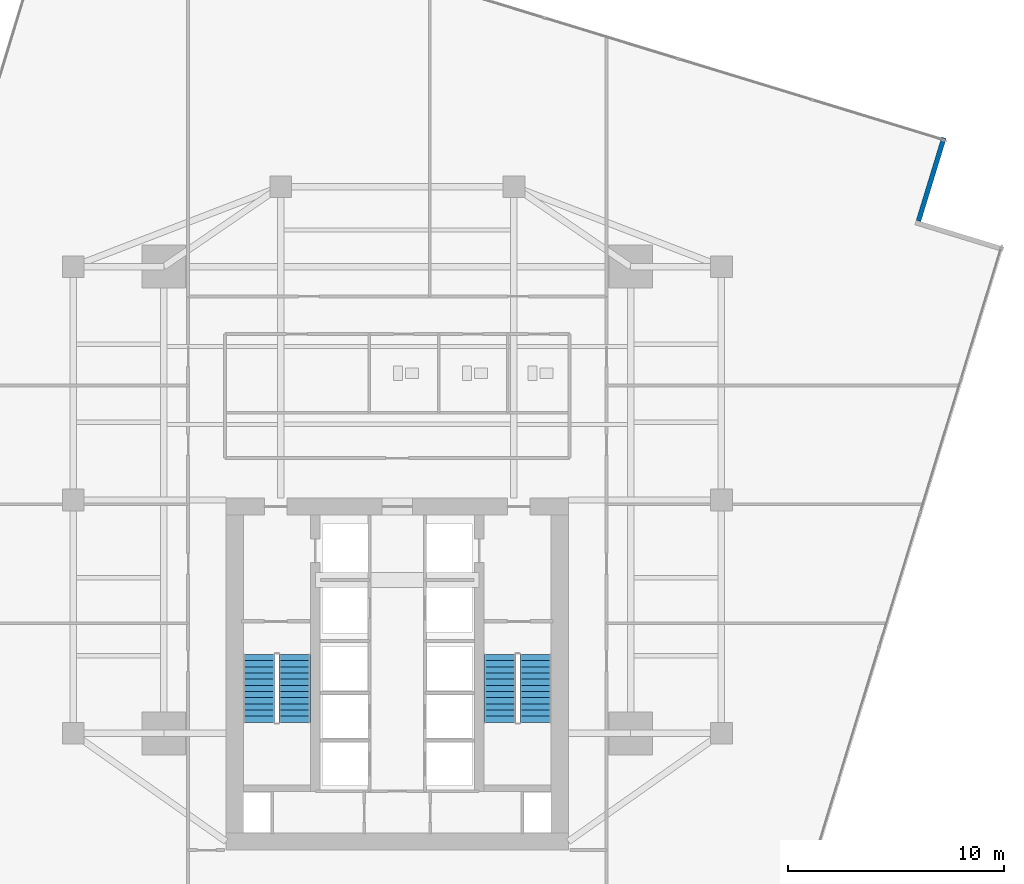
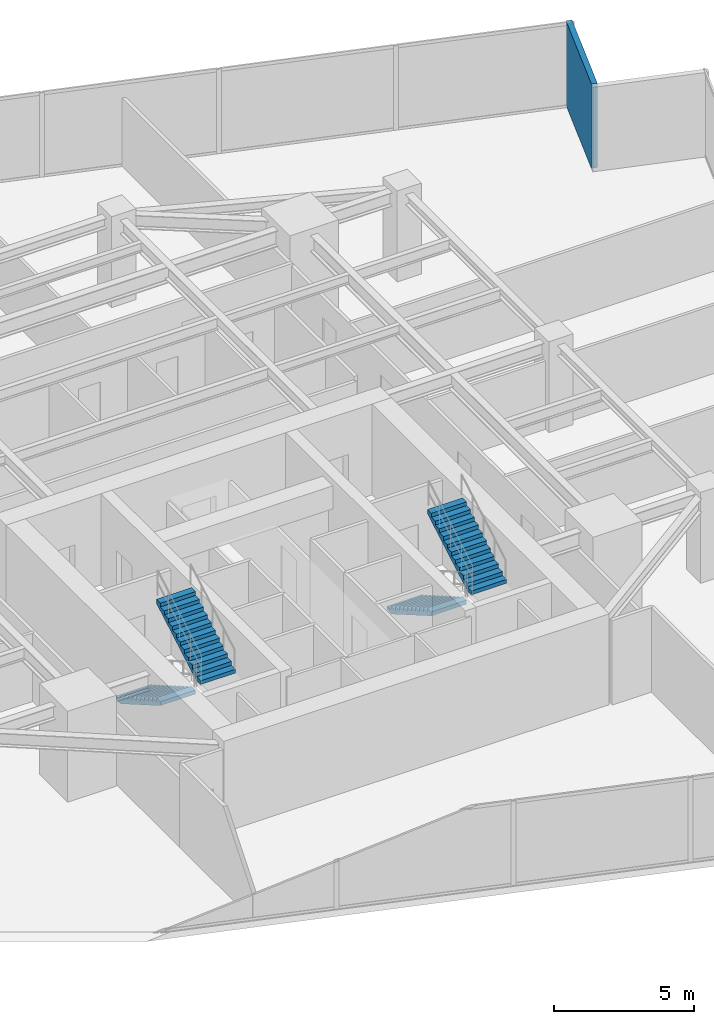
# One storey, part 24 of 26: 4 stair flights, 1 wall, 2 elements without a shape of their own.
"""IFC4 building model written with IfcOpenShell, lengths in metres."""

from ifc_helpers import new_model, si_unit, direction, frame, frame_2d, origin, place, context, subcontext, project, spatial, polyline, rectangle, outline, extrude, material, layer, layer_set, type_object, element, aggregate, save


model = new_model("IFC4")

# Units and contexts
model_context = context("Model", 3, precision=1e-05, world=origin(), true_north=direction((0.0, 1.0)))
body_context = subcontext(model_context, "Body", "Model", "MODEL_VIEW")
ifc_project = project(units=[si_unit("LENGTHUNIT", "METRE"), si_unit("AREAUNIT", "SQUARE_METRE"), si_unit("VOLUMEUNIT", "CUBIC_METRE"), si_unit("PLANEANGLEUNIT", "RADIAN"), si_unit("MASSUNIT", "GRAM", prefix="KILO")], contexts=[model_context])

# Site, building, storey
site_placement = place(None, origin())
site = spatial("IfcSite", under=ifc_project, at=site_placement, CompositionType="ELEMENT")
building_placement = place(site_placement, origin())
building = spatial("IfcBuilding", under=site, at=building_placement, Name="Krantzveldt Concourse Tower", CompositionType="ELEMENT")
storey_placement = place(building_placement, frame((0.0, 0.0, 109.800048828125)))
storey = spatial("IfcBuildingStorey", under=building, at=storey_placement, Name="L26", CompositionType="ELEMENT", Elevation=109.800048828125)

# Wall
ifc_material_1 = material(Name="Anodised aluminium 6063-T6", Category="aluminium")
ifc_layer = layer(ifc_material_1, 0.219970703125, Name="Anodised aluminium 6063-T6", Category="aluminium")
ifc_layer_set = layer_set([ifc_layer], Name="Anodised aluminium 6063-T6 (WL-EXT-NOTCH220)")
wall_type = type_object("IfcWallType", Name="WL-EXT-NOTCH220", PredefinedType="ELEMENTEDWALL", material=ifc_layer_set)
wall_placement = place(storey_placement, frame((60.119140625, 39.612548828125, 0.0), z_axis=(0.0, 0.0, 1.0), x_axis=(0.292363388235, 0.956307298529, 0.0)))
element("IfcWall", 1, at=wall_placement, inside=storey, type_object=wall_type, Name="EW-L26-NCH09", PredefinedType="ELEMENTEDWALL", context=body_context, shape_type="SweptSolid", body=[
    extrude(rectangle(XDim=4.02490234375, YDim=0.219970703125, at=frame_2d((2.012451171875, 0.0))), origin(), (0.0, 0.0, 1.0), 3.669921875),
])

# Stair, stair flights
ifc_material_2 = material(Name="Precast concrete C40/50", Category="concrete")
stair_type = type_object("IfcStairType", Name="STR-CORE-DOGLEG", PredefinedType="HALF_TURN_STAIR", material=ifc_material_2)
stair_1_placement = place(storey_placement, origin())
stair_1 = element("IfcStair", 2, at=stair_1_placement, inside=storey, type_object=stair_type, Name="L26 Protected Escape Stair ST-1", PredefinedType="HALF_TURN_STAIR")
stair_flight_type = type_object("IfcStairFlightType", Name="STF-CORE-1450", PredefinedType="STRAIGHT", material=ifc_material_2)
stair_flight_1_placement = place(storey_placement, frame((29.60498046875, 19.550048828125, 0.0), z_axis=(0.0, 0.0, 1.0), x_axis=(0.0, -1.0, 0.0)))
stair_flight_1 = element("IfcStairFlight", 3, at=stair_flight_1_placement, type_object=stair_flight_type, Name="ST-1 flight 1", NumberOfRisers=12, NumberOfTreads=11, PredefinedType="STRAIGHT", RiserHeight=0.164583333, TreadLength=0.285, context=body_context, shape_type="SweptSolid", body=[
    extrude(outline(polyline([(0.0, 0.0), (0.0, 0.16455078125), (0.284912109375, 0.16455078125), (0.284912109375, 0.3291015625), (0.570068359375, 0.3291015625), (0.570068359375, 0.49365234375), (0.85498046875, 0.49365234375), (0.85498046875, 0.658447265625), (1.139892578125, 0.658447265625), (1.139892578125, 0.822998046875), (1.425048828125, 0.822998046875), (1.425048828125, 0.987548828125), (1.7099609375, 0.987548828125), (1.7099609375, 1.152099609375), (1.9951171875, 1.152099609375), (1.9951171875, 1.316650390625), (2.280029296875, 1.316650390625), (2.280029296875, 1.481201171875), (2.56494140625, 1.481201171875), (2.56494140625, 1.645751953125), (2.85009765625, 1.645751953125), (2.85009765625, 1.810302734375), (3.135009765625, 1.810302734375), (3.135009765625, 1.97509765625), (3.135009765625, 1.63720703125), (0.2998046875, 0.0), (0.0, 0.0)])), frame((0.0, 0.72509765625, 0.0), z_axis=(0.0, -1.0, 0.0), x_axis=(1.0, 0.0, 0.0)), (0.0, 0.0, 1.0), 1.449951171875),
])
stair_flight_2_placement = place(storey_placement, frame((31.2548828125, 16.4150390625, 1.974853515625), z_axis=(0.0, 0.0, 1.0), x_axis=(0.0, 1.0, 0.0)))
stair_flight_2 = element("IfcStairFlight", 4, at=stair_flight_2_placement, type_object=stair_flight_type, Name="ST-1 flight 2", NumberOfRisers=12, NumberOfTreads=11, PredefinedType="STRAIGHT", RiserHeight=0.164583333, TreadLength=0.285, context=body_context, shape_type="SweptSolid", body=[
    extrude(outline(polyline([(0.0, 0.0), (0.0, 0.16455078125), (0.284912109375, 0.16455078125), (0.284912109375, 0.3291015625), (0.570068359375, 0.3291015625), (0.570068359375, 0.49365234375), (0.85498046875, 0.49365234375), (0.85498046875, 0.658447265625), (1.139892578125, 0.658447265625), (1.139892578125, 0.822998046875), (1.425048828125, 0.822998046875), (1.425048828125, 0.987548828125), (1.7099609375, 0.987548828125), (1.7099609375, 1.152099609375), (1.9951171875, 1.152099609375), (1.9951171875, 1.316650390625), (2.280029296875, 1.316650390625), (2.280029296875, 1.481201171875), (2.56494140625, 1.481201171875), (2.56494140625, 1.645751953125), (2.85009765625, 1.645751953125), (2.85009765625, 1.810302734375), (3.135009765625, 1.810302734375), (3.135009765625, 1.97509765625), (3.135009765625, 1.63720703125), (0.2998046875, 0.0), (0.0, 0.0)])), frame((0.0, 0.72509765625, 0.0), z_axis=(0.0, -1.0, 0.0), x_axis=(1.0, 0.0, 0.0)), (0.0, 0.0, 1.0), 1.449951171875),
])
aggregate(stair_1, [stair_flight_1, stair_flight_2])

stair_2_placement = place(storey_placement, origin())
stair_2 = element("IfcStair", 5, at=stair_2_placement, inside=storey, type_object=stair_type, Name="L26 Protected Escape Stair ST-2", PredefinedType="HALF_TURN_STAIR")
stair_flight_3_placement = place(storey_placement, frame((40.7451171875, 19.550048828125, 0.0), z_axis=(0.0, 0.0, 1.0), x_axis=(0.0, -1.0, 0.0)))
stair_flight_3 = element("IfcStairFlight", 6, at=stair_flight_3_placement, type_object=stair_flight_type, Name="ST-2 flight 1", NumberOfRisers=12, NumberOfTreads=11, PredefinedType="STRAIGHT", RiserHeight=0.164583333, TreadLength=0.285, context=body_context, shape_type="SweptSolid", body=[
    extrude(outline(polyline([(0.0, 0.0), (0.0, 0.16455078125), (0.284912109375, 0.16455078125), (0.284912109375, 0.3291015625), (0.570068359375, 0.3291015625), (0.570068359375, 0.49365234375), (0.85498046875, 0.49365234375), (0.85498046875, 0.658447265625), (1.139892578125, 0.658447265625), (1.139892578125, 0.822998046875), (1.425048828125, 0.822998046875), (1.425048828125, 0.987548828125), (1.7099609375, 0.987548828125), (1.7099609375, 1.152099609375), (1.9951171875, 1.152099609375), (1.9951171875, 1.316650390625), (2.280029296875, 1.316650390625), (2.280029296875, 1.481201171875), (2.56494140625, 1.481201171875), (2.56494140625, 1.645751953125), (2.85009765625, 1.645751953125), (2.85009765625, 1.810302734375), (3.135009765625, 1.810302734375), (3.135009765625, 1.97509765625), (3.135009765625, 1.63720703125), (0.2998046875, 0.0), (0.0, 0.0)])), frame((0.0, 0.72509765625, 0.0), z_axis=(0.0, -1.0, 0.0), x_axis=(1.0, 0.0, 0.0)), (0.0, 0.0, 1.0), 1.449951171875),
])
stair_flight_4_placement = place(storey_placement, frame((42.39501953125, 16.4150390625, 1.974853515625), z_axis=(0.0, 0.0, 1.0), x_axis=(0.0, 1.0, 0.0)))
stair_flight_4 = element("IfcStairFlight", 7, at=stair_flight_4_placement, type_object=stair_flight_type, Name="ST-2 flight 2", NumberOfRisers=12, NumberOfTreads=11, PredefinedType="STRAIGHT", RiserHeight=0.164583333, TreadLength=0.285, context=body_context, shape_type="SweptSolid", body=[
    extrude(outline(polyline([(0.0, 0.0), (0.0, 0.16455078125), (0.284912109375, 0.16455078125), (0.284912109375, 0.3291015625), (0.570068359375, 0.3291015625), (0.570068359375, 0.49365234375), (0.85498046875, 0.49365234375), (0.85498046875, 0.658447265625), (1.139892578125, 0.658447265625), (1.139892578125, 0.822998046875), (1.425048828125, 0.822998046875), (1.425048828125, 0.987548828125), (1.7099609375, 0.987548828125), (1.7099609375, 1.152099609375), (1.9951171875, 1.152099609375), (1.9951171875, 1.316650390625), (2.280029296875, 1.316650390625), (2.280029296875, 1.481201171875), (2.56494140625, 1.481201171875), (2.56494140625, 1.645751953125), (2.85009765625, 1.645751953125), (2.85009765625, 1.810302734375), (3.135009765625, 1.810302734375), (3.135009765625, 1.97509765625), (3.135009765625, 1.63720703125), (0.2998046875, 0.0), (0.0, 0.0)])), frame((0.0, 0.72509765625, 0.0), z_axis=(0.0, -1.0, 0.0), x_axis=(1.0, 0.0, 0.0)), (0.0, 0.0, 1.0), 1.449951171875),
])
aggregate(stair_2, [stair_flight_3, stair_flight_4])

save(model, "model.ifc")
